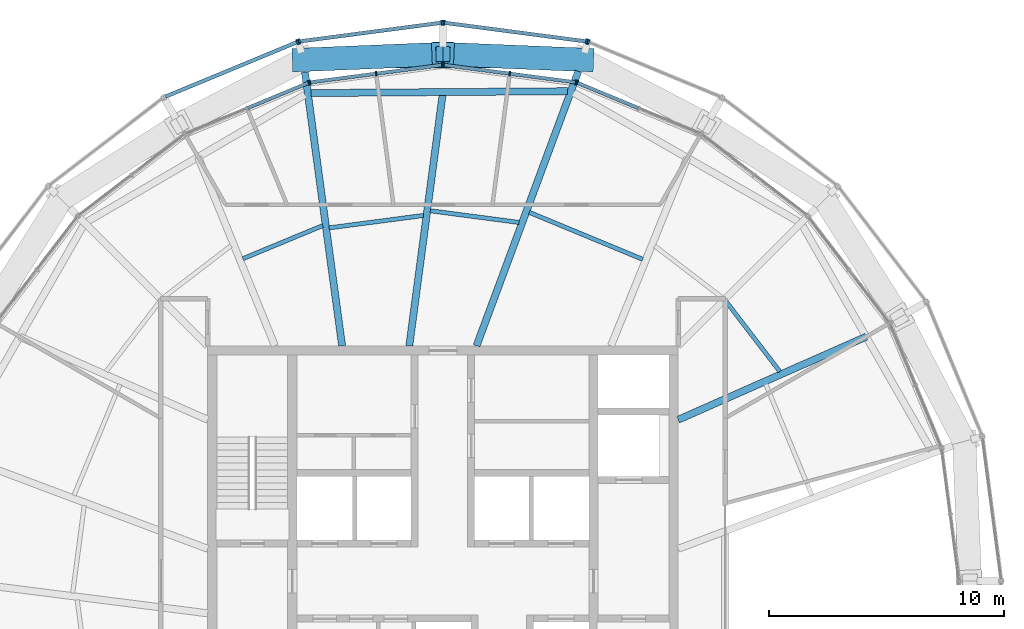
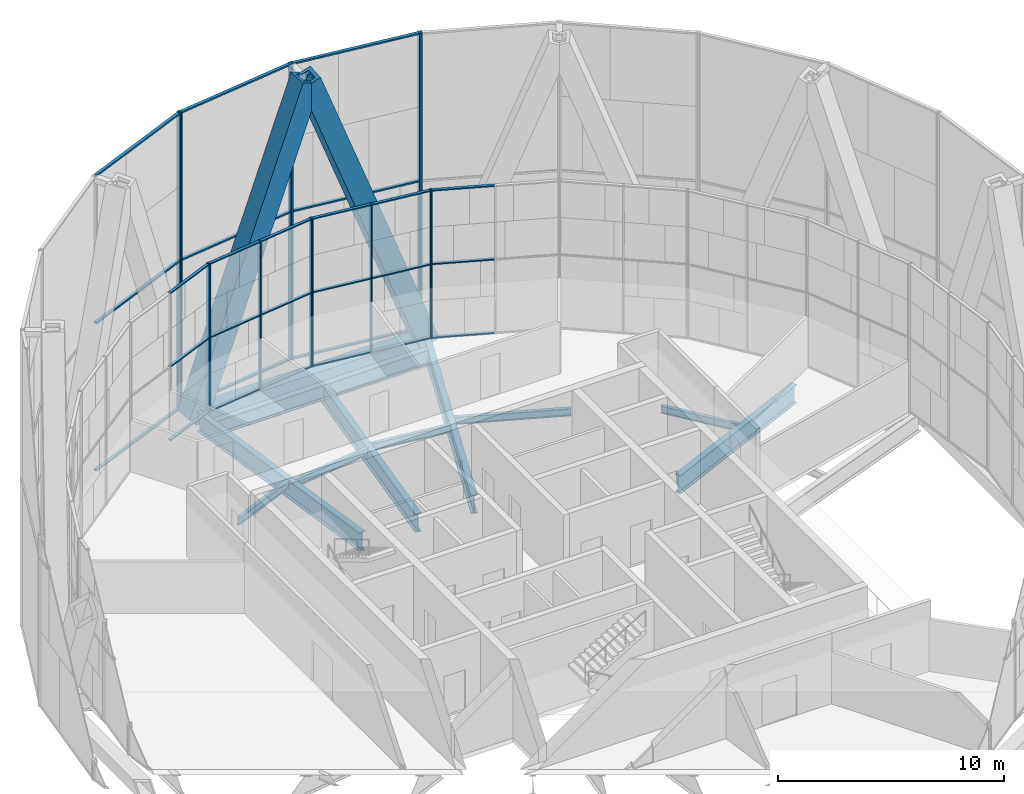
# One storey, part 7 of 22: 43 members, 11 beams, 8 elements without a shape of their own.
"""IFC4 building model written with IfcOpenShell, lengths in metres."""

from ifc_helpers import new_model, si_unit, direction, frame, origin, origin_2d, place, context, subcontext, project, spatial, rectangle, hollow_rectangle, i_section, extrude, material, material_profile, profile_set, type_object, element, aggregate, save


model = new_model("IFC4")

# Units and contexts
model_context = context("Model", 3, precision=1e-05, world=origin(), true_north=direction((0.0, 1.0)))
body_context = subcontext(model_context, "Body", "Model", "MODEL_VIEW")
ifc_project = project(units=[si_unit("LENGTHUNIT", "METRE"), si_unit("AREAUNIT", "SQUARE_METRE"), si_unit("VOLUMEUNIT", "CUBIC_METRE"), si_unit("PLANEANGLEUNIT", "RADIAN"), si_unit("MASSUNIT", "GRAM", prefix="KILO")], contexts=[model_context])

# Site, building, storey
site_placement = place(None, origin())
site = spatial("IfcSite", under=ifc_project, at=site_placement, CompositionType="ELEMENT")
building_placement = place(site_placement, origin())
building = spatial("IfcBuilding", under=site, at=building_placement, Name="Golbaran Civic Tower", CompositionType="ELEMENT")
storey_placement = place(building_placement, frame((0.0, 0.0, 264.0)))
storey = spatial("IfcBuildingStorey", under=building, at=storey_placement, Name="L64", CompositionType="ELEMENT", Elevation=264.0)

# Members
ifc_material_1 = material(Name="Steel S355", Category="steel")
ifc_material_profile_1 = material_profile(ifc_material_1, hollow_rectangle(XDim=1.0, YDim=1.0, WallThickness=0.179931640625, at=origin_2d()), Name="BOX 1000x1000x180")
ifc_profile_set_1 = profile_set([ifc_material_profile_1], Name="Steel S355")
member_type_1 = type_object("IfcMemberType", Name="DIAGRID DIAGONAL BOX 1000x1000x180", PredefinedType="BRACE", material=ifc_profile_set_1)
for number, where, z_axis, x_axis, name in (
    (1, (5.936767578125, 22.156494140625, -0.7099609375), (-0.34783756503, 0.014261383079, 0.937446340495), (-0.040965705945, -0.999160553133, 0.0), "Diagonal D15-02R L64-L68"),
    (2, (-5.936767578125, 22.156494140625, -0.7099609375), (0.34783756503, 0.014261383079, 0.937446340495), (-0.040965705945, 0.999160553133, 0.0), "Diagonal D15-03L L64-L68"),
):
    element("IfcMember", number, at=place(storey_placement, frame(where, z_axis=z_axis, x_axis=x_axis)), inside=storey, type_object=member_type_1, Name=name, PredefinedType="BRACE", context=body_context, shape_type="SweptSolid", body=[
        extrude(hollow_rectangle(XDim=1.0, YDim=1.0, WallThickness=0.179931640625, at=origin_2d()), origin(), (0.0, 0.0, 1.0), 17.067626953125),
    ])

# Beams
ifc_material_profile_2 = material_profile(ifc_material_1, hollow_rectangle(XDim=0.699951171875, YDim=0.699951171875, WallThickness=0.080078125, at=origin_2d()), Name="BOX 700x700x80")
ifc_profile_set_2 = profile_set([ifc_material_profile_2], Name="Steel S355")
beam_type_1 = type_object("IfcBeamType", Name="DIAGRID RING TIE BOX 700x700x80", PredefinedType="BEAM", material=ifc_profile_set_2)
beam_1_placement = place(storey_placement, frame((5.936767578125, 22.156494140625, -0.7099609375), z_axis=(-1.0, 0.0, 0.0), x_axis=(0.0, -1.0, 0.0)))
element("IfcBeam", 3, at=beam_1_placement, inside=storey, type_object=beam_type_1, Name="Ring tie 75.00 L64", PredefinedType="BEAM", context=body_context, shape_type="SweptSolid", body=[
    extrude(hollow_rectangle(XDim=0.699951171875, YDim=0.699951171875, WallThickness=0.080078125, at=origin_2d()), origin(), (0.0, 0.0, 1.0), 11.87353515625),
])
ifc_material_profile_3 = material_profile(ifc_material_1, i_section(OverallWidth=0.300048828125, OverallDepth=0.800048828125, WebThickness=0.017578125, FlangeThickness=0.032958984375, FilletRadius=0.030029296875, at=origin_2d()), Name="HEB 800")
ifc_profile_set_3 = profile_set([ifc_material_profile_3], Name="Steel S355")
beam_type_2 = type_object("IfcBeamType", Name="EDGE BEAM HEB 800", PredefinedType="BEAM", material=ifc_profile_set_3)
beam_2_placement = place(storey_placement, frame((5.302978515625, 20.82080078125, -0.60009765625), z_axis=(-0.999973586103, -0.007268225063, 0.0), x_axis=(0.007268225063, -0.999973586103, 0.0)))
element("IfcBeam", 4, at=beam_2_placement, inside=storey, type_object=beam_type_2, Name="Edge beam 75.00 L64", PredefinedType="BEAM", context=body_context, shape_type="SweptSolid", body=[
    extrude(i_section(OverallWidth=0.300048828125, OverallDepth=0.800048828125, WebThickness=0.017578125, FlangeThickness=0.032958984375, FilletRadius=0.030029296875, at=origin_2d()), origin(), (0.0, 0.0, 1.0), 10.916748046875),
])
ifc_material_profile_4 = material_profile(ifc_material_1, i_section(OverallWidth=0.179931640625, OverallDepth=0.39990234375, WebThickness=0.008544921875, FlangeThickness=0.013427734375, FilletRadius=0.02099609375, at=origin_2d()), Name="IPE 400")
ifc_profile_set_4 = profile_set([ifc_material_profile_4], Name="Steel S355")
beam_type_3 = type_object("IfcBeamType", Name="FLOOR INFILL BEAM IPE 400", PredefinedType="BEAM", material=ifc_profile_set_4)
beam_3_placement = place(storey_placement, frame((14.318359375, 8.906494140625, -0.39990234375), z_axis=(-0.608732534768, 0.793375510786, 0.0), x_axis=(-0.793375510786, -0.608732534768, 0.0)))
element("IfcBeam", 5, at=beam_3_placement, inside=storey, type_object=beam_type_3, Name="Infill beam 37.50 L64", PredefinedType="BEAM", context=body_context, shape_type="SweptSolid", body=[
    extrude(i_section(OverallWidth=0.179931640625, OverallDepth=0.39990234375, WebThickness=0.008544921875, FlangeThickness=0.013427734375, FilletRadius=0.02099609375, at=origin_2d()), origin(), (0.0, 0.0, 1.0), 3.728759765625),
])
beam_4_placement = place(storey_placement, frame((8.49365234375, 13.673095703125, -0.39990234375), z_axis=(-0.92386635704, 0.382715239219, 0.0), x_axis=(-0.382715239219, -0.92386635704, 0.0)))
element("IfcBeam", 6, at=beam_4_placement, inside=storey, type_object=beam_type_3, Name="Infill beam 67.50 L64", PredefinedType="BEAM", context=body_context, shape_type="SweptSolid", body=[
    extrude(i_section(OverallWidth=0.179931640625, OverallDepth=0.39990234375, WebThickness=0.008544921875, FlangeThickness=0.013427734375, FilletRadius=0.02099609375, at=origin_2d()), origin(), (0.0, 0.0, 1.0), 5.220703125),
])
beam_5_placement = place(storey_placement, frame((3.234130859375, 15.2421875, -0.39990234375), z_axis=(-0.991441838824, 0.130549148713, 0.0), x_axis=(-0.130549148713, -0.991441838824, 0.0)))
element("IfcBeam", 7, at=beam_5_placement, inside=storey, type_object=beam_type_3, Name="Infill beam 82.50 L64", PredefinedType="BEAM", context=body_context, shape_type="SweptSolid", body=[
    extrude(i_section(OverallWidth=0.179931640625, OverallDepth=0.39990234375, WebThickness=0.008544921875, FlangeThickness=0.013427734375, FilletRadius=0.02099609375, at=origin_2d()), origin(), (0.0, 0.0, 1.0), 3.8037109375),
])
beam_6_placement = place(storey_placement, frame((-0.825927734375, 15.5390625, -0.39990234375), z_axis=(-0.991444840399, -0.130526351537, 0.0), x_axis=(0.130526351537, -0.991444840399, 0.0)))
element("IfcBeam", 8, at=beam_6_placement, inside=storey, type_object=beam_type_3, Name="Infill beam 97.50 L64", PredefinedType="BEAM", context=body_context, shape_type="SweptSolid", body=[
    extrude(i_section(OverallWidth=0.179931640625, OverallDepth=0.39990234375, WebThickness=0.008544921875, FlangeThickness=0.013427734375, FilletRadius=0.02099609375, at=origin_2d()), origin(), (0.0, 0.0, 1.0), 4.0439453125),
])
beam_7_placement = place(storey_placement, frame((-5.110595703125, 15.107421875, -0.39990234375), z_axis=(-0.923878435958, -0.382686079668, 0.0), x_axis=(0.382686079668, -0.923878435958, 0.0)))
element("IfcBeam", 9, at=beam_7_placement, inside=storey, type_object=beam_type_3, Name="Infill beam 112.50 L64", PredefinedType="BEAM", context=body_context, shape_type="SweptSolid", body=[
    extrude(i_section(OverallWidth=0.179931640625, OverallDepth=0.39990234375, WebThickness=0.008544921875, FlangeThickness=0.013427734375, FilletRadius=0.02099609375, at=origin_2d()), origin(), (0.0, 0.0, 1.0), 3.676513671875),
])

# Curtain wall, member
ifc_material_2 = material(Name="Aluminium and glass", Category="aluminium")
curtain_wall_type_1 = type_object("IfcCurtainWallType", Name="INNER SKIN CURTAIN WALL EXECUTIVE", PredefinedType="NOTDEFINED", material=ifc_material_2)
curtain_wall_1_placement = place(storey_placement, origin())
curtain_wall_1 = element("IfcCurtainWall", 10, at=curtain_wall_1_placement, inside=storey, type_object=curtain_wall_type_1, Name="Inner skin L64 facet 5 CW2", ObjectType="INNER SKIN", PredefinedType="USERDEFINED")
ifc_material_3 = material(Name="Aluminium", Category="aluminium")
ifc_material_profile_5 = material_profile(ifc_material_3, rectangle(XDim=0.199951171875, YDim=0.06005859375, at=origin_2d()), Name="INNER SKIN CURTAIN WALL EXECUTIVE MULLION")
ifc_profile_set_5 = profile_set([ifc_material_profile_5], Name="Aluminium")
member_type_2 = type_object("IfcMemberType", Name="INNER SKIN CURTAIN WALL EXECUTIVE MULLION", PredefinedType="MULLION", material=ifc_profile_set_5)
member_1_placement = place(storey_placement, frame((5.7060546875, 21.179931640625, 0.0), z_axis=(0.0, 0.0, 1.0), x_axis=(-0.382683432349, -0.923879532518, 0.0)))
member_1 = element("IfcMember", 11, at=member_1_placement, type_object=member_type_2, Name="CW2 mullion 3", PredefinedType="MULLION", context=body_context, shape_type="SweptSolid", body=[
    extrude(rectangle(XDim=0.199951171875, YDim=0.06005859375, at=origin_2d()), origin(), (0.0, 0.0, 1.0), 8.0),
])

# Curtain wall, members
curtain_wall_2_placement = place(storey_placement, origin())
curtain_wall_2 = element("IfcCurtainWall", 12, at=curtain_wall_2_placement, inside=storey, type_object=curtain_wall_type_1, Name="Inner skin L64 facet 6 CW2", ObjectType="INNER SKIN", PredefinedType="USERDEFINED")
member_2_placement = place(storey_placement, frame((5.6484375, 21.1953125, 0.0), z_axis=(0.0, 0.0, 1.0), x_axis=(-0.130526192203, -0.991444861376, 0.0)))
member_2 = element("IfcMember", 13, at=member_2_placement, type_object=member_type_2, Name="CW2 mullion 1", PredefinedType="MULLION", context=body_context, shape_type="SweptSolid", body=[
    extrude(rectangle(XDim=0.199951171875, YDim=0.06005859375, at=origin_2d()), origin(), (0.0, 0.0, 1.0), 8.0),
])
member_3_placement = place(storey_placement, frame((2.839111328125, 21.565185546875, 0.0), z_axis=(0.0, 0.0, 1.0), x_axis=(-0.130526192203, -0.991444861376, 0.0)))
member_3 = element("IfcMember", 14, at=member_3_placement, type_object=member_type_2, Name="CW2 mullion 2", PredefinedType="MULLION", context=body_context, shape_type="SweptSolid", body=[
    extrude(rectangle(XDim=0.199951171875, YDim=0.06005859375, at=origin_2d()), origin(), (0.0, 0.0, 1.0), 8.0),
])
member_4_placement = place(storey_placement, frame((0.02978515625, 21.93505859375, 0.0), z_axis=(0.0, 0.0, 1.0), x_axis=(-0.130526192203, -0.991444861376, 0.0)))
member_4 = element("IfcMember", 15, at=member_4_placement, type_object=member_type_2, Name="CW2 mullion 3", PredefinedType="MULLION", context=body_context, shape_type="SweptSolid", body=[
    extrude(rectangle(XDim=0.199951171875, YDim=0.06005859375, at=origin_2d()), origin(), (0.0, 0.0, 1.0), 8.0),
])

curtain_wall_3_placement = place(storey_placement, origin())
curtain_wall_3 = element("IfcCurtainWall", 16, at=curtain_wall_3_placement, inside=storey, type_object=curtain_wall_type_1, Name="Inner skin L64 facet 7 CW2", ObjectType="INNER SKIN", PredefinedType="USERDEFINED")
member_5_placement = place(storey_placement, frame((-0.02978515625, 21.93505859375, 0.0), z_axis=(0.0, 0.0, 1.0), x_axis=(0.130526192203, -0.991444861376, 0.0)))
member_5 = element("IfcMember", 17, at=member_5_placement, type_object=member_type_2, Name="CW2 mullion 1", PredefinedType="MULLION", context=body_context, shape_type="SweptSolid", body=[
    extrude(rectangle(XDim=0.199951171875, YDim=0.06005859375, at=origin_2d()), origin(), (0.0, 0.0, 1.0), 8.0),
])
member_6_placement = place(storey_placement, frame((-2.839111328125, 21.565185546875, 0.0), z_axis=(0.0, 0.0, 1.0), x_axis=(0.130526192203, -0.991444861376, 0.0)))
member_6 = element("IfcMember", 18, at=member_6_placement, type_object=member_type_2, Name="CW2 mullion 2", PredefinedType="MULLION", context=body_context, shape_type="SweptSolid", body=[
    extrude(rectangle(XDim=0.199951171875, YDim=0.06005859375, at=origin_2d()), origin(), (0.0, 0.0, 1.0), 8.0),
])
member_7_placement = place(storey_placement, frame((-5.6484375, 21.1953125, 0.0), z_axis=(0.0, 0.0, 1.0), x_axis=(0.130526192203, -0.991444861376, 0.0)))
member_7 = element("IfcMember", 19, at=member_7_placement, type_object=member_type_2, Name="CW2 mullion 3", PredefinedType="MULLION", context=body_context, shape_type="SweptSolid", body=[
    extrude(rectangle(XDim=0.199951171875, YDim=0.06005859375, at=origin_2d()), origin(), (0.0, 0.0, 1.0), 8.0),
])

# Curtain wall, member
curtain_wall_4_placement = place(storey_placement, origin())
curtain_wall_4 = element("IfcCurtainWall", 20, at=curtain_wall_4_placement, inside=storey, type_object=curtain_wall_type_1, Name="Inner skin L64 facet 8 CW2", ObjectType="INNER SKIN", PredefinedType="USERDEFINED")
member_8_placement = place(storey_placement, frame((-5.7060546875, 21.179931640625, 0.0), z_axis=(0.0, 0.0, 1.0), x_axis=(0.382683432349, -0.923879532518, 0.0)))
member_8 = element("IfcMember", 21, at=member_8_placement, type_object=member_type_2, Name="CW2 mullion 1", PredefinedType="MULLION", context=body_context, shape_type="SweptSolid", body=[
    extrude(rectangle(XDim=0.199951171875, YDim=0.06005859375, at=origin_2d()), origin(), (0.0, 0.0, 1.0), 8.0),
])

# Member
ifc_material_profile_6 = material_profile(ifc_material_3, rectangle(XDim=0.14990234375, YDim=0.06005859375, at=origin_2d()), Name="INNER SKIN CURTAIN WALL EXECUTIVE TRANSOM")
ifc_profile_set_6 = profile_set([ifc_material_profile_6], Name="Aluminium")
member_type_3 = type_object("IfcMemberType", Name="INNER SKIN CURTAIN WALL EXECUTIVE TRANSOM", PredefinedType="USERDEFINED", material=ifc_profile_set_6)
member_9_placement = place(storey_placement, frame((8.296142578125, 20.107177734375, 0.030029296875), z_axis=(-0.923897754451, 0.382639437748, 0.0), x_axis=(-0.382639437748, -0.923897754451, 0.0)))
member_9 = element("IfcMember", 22, at=member_9_placement, type_object=member_type_3, Name="CW2 transom 2.1", ObjectType="TRANSOM", PredefinedType="USERDEFINED", context=body_context, shape_type="SweptSolid", body=[
    extrude(rectangle(XDim=0.14990234375, YDim=0.06005859375, at=origin_2d()), origin(), (0.0, 0.0, 1.0), 2.773681640625),
])

member_10_placement = place(storey_placement, frame((8.296142578125, 20.107177734375, 4.0), z_axis=(-0.923897754451, 0.382639437748, 0.0), x_axis=(-0.382639437748, -0.923897754451, 0.0)))
member_10 = element("IfcMember", 23, at=member_10_placement, type_object=member_type_3, Name="CW2 transom 2.2", ObjectType="TRANSOM", PredefinedType="USERDEFINED", context=body_context, shape_type="SweptSolid", body=[
    extrude(rectangle(XDim=0.14990234375, YDim=0.06005859375, at=origin_2d()), origin(), (0.0, 0.0, 1.0), 2.773681640625),
])

member_11_placement = place(storey_placement, frame((8.296142578125, 20.107177734375, 7.969970703125), z_axis=(-0.923897754451, 0.382639437748, 0.0), x_axis=(-0.382639437748, -0.923897754451, 0.0)))
member_11 = element("IfcMember", 24, at=member_11_placement, type_object=member_type_3, Name="CW2 transom 2.3", ObjectType="TRANSOM", PredefinedType="USERDEFINED", context=body_context, shape_type="SweptSolid", body=[
    extrude(rectangle(XDim=0.14990234375, YDim=0.06005859375, at=origin_2d()), origin(), (0.0, 0.0, 1.0), 2.773681640625),
])

aggregate(curtain_wall_1, [member_1, member_9, member_10, member_11])

member_12_placement = place(storey_placement, frame((5.61865234375, 21.19921875, 0.030029296875), z_axis=(-0.99144260663, 0.130543317556, 0.0), x_axis=(-0.130543317556, -0.99144260663, 0.0)))
member_12 = element("IfcMember", 25, at=member_12_placement, type_object=member_type_3, Name="CW2 transom 1.1", ObjectType="TRANSOM", PredefinedType="USERDEFINED", context=body_context, shape_type="SweptSolid", body=[
    extrude(rectangle(XDim=0.14990234375, YDim=0.06005859375, at=origin_2d()), origin(), (0.0, 0.0, 1.0), 2.7734375),
])

member_13_placement = place(storey_placement, frame((5.61865234375, 21.19921875, 4.0), z_axis=(-0.99144260663, 0.130543317556, 0.0), x_axis=(-0.130543317556, -0.99144260663, 0.0)))
member_13 = element("IfcMember", 26, at=member_13_placement, type_object=member_type_3, Name="CW2 transom 1.2", ObjectType="TRANSOM", PredefinedType="USERDEFINED", context=body_context, shape_type="SweptSolid", body=[
    extrude(rectangle(XDim=0.14990234375, YDim=0.06005859375, at=origin_2d()), origin(), (0.0, 0.0, 1.0), 2.7734375),
])

member_14_placement = place(storey_placement, frame((5.61865234375, 21.19921875, 7.969970703125), z_axis=(-0.99144260663, 0.130543317556, 0.0), x_axis=(-0.130543317556, -0.99144260663, 0.0)))
member_14 = element("IfcMember", 27, at=member_14_placement, type_object=member_type_3, Name="CW2 transom 1.3", ObjectType="TRANSOM", PredefinedType="USERDEFINED", context=body_context, shape_type="SweptSolid", body=[
    extrude(rectangle(XDim=0.14990234375, YDim=0.06005859375, at=origin_2d()), origin(), (0.0, 0.0, 1.0), 2.7734375),
])

member_15_placement = place(storey_placement, frame((2.809326171875, 21.569091796875, 0.030029296875), z_axis=(-0.99144260663, 0.130543317556, 0.0), x_axis=(-0.130543317556, -0.99144260663, 0.0)))
member_15 = element("IfcMember", 28, at=member_15_placement, type_object=member_type_3, Name="CW2 transom 2.1", ObjectType="TRANSOM", PredefinedType="USERDEFINED", context=body_context, shape_type="SweptSolid", body=[
    extrude(rectangle(XDim=0.14990234375, YDim=0.06005859375, at=origin_2d()), origin(), (0.0, 0.0, 1.0), 2.7734375),
])

member_16_placement = place(storey_placement, frame((2.809326171875, 21.569091796875, 4.0), z_axis=(-0.99144260663, 0.130543317556, 0.0), x_axis=(-0.130543317556, -0.99144260663, 0.0)))
member_16 = element("IfcMember", 29, at=member_16_placement, type_object=member_type_3, Name="CW2 transom 2.2", ObjectType="TRANSOM", PredefinedType="USERDEFINED", context=body_context, shape_type="SweptSolid", body=[
    extrude(rectangle(XDim=0.14990234375, YDim=0.06005859375, at=origin_2d()), origin(), (0.0, 0.0, 1.0), 2.7734375),
])

member_17_placement = place(storey_placement, frame((2.809326171875, 21.569091796875, 7.969970703125), z_axis=(-0.99144260663, 0.130543317556, 0.0), x_axis=(-0.130543317556, -0.99144260663, 0.0)))
member_17 = element("IfcMember", 30, at=member_17_placement, type_object=member_type_3, Name="CW2 transom 2.3", ObjectType="TRANSOM", PredefinedType="USERDEFINED", context=body_context, shape_type="SweptSolid", body=[
    extrude(rectangle(XDim=0.14990234375, YDim=0.06005859375, at=origin_2d()), origin(), (0.0, 0.0, 1.0), 2.7734375),
])

aggregate(curtain_wall_2, [member_2, member_3, member_4, member_12, member_13, member_14, member_15, member_16, member_17])

member_18_placement = place(storey_placement, frame((-0.0595703125, 21.93115234375, 0.030029296875), z_axis=(-0.99144260663, -0.130543317556, 0.0), x_axis=(0.130543317556, -0.99144260663, 0.0)))
member_18 = element("IfcMember", 31, at=member_18_placement, type_object=member_type_3, Name="CW2 transom 1.1", ObjectType="TRANSOM", PredefinedType="USERDEFINED", context=body_context, shape_type="SweptSolid", body=[
    extrude(rectangle(XDim=0.14990234375, YDim=0.06005859375, at=origin_2d()), origin(), (0.0, 0.0, 1.0), 2.7734375),
])

member_19_placement = place(storey_placement, frame((-0.0595703125, 21.93115234375, 4.0), z_axis=(-0.99144260663, -0.130543317556, 0.0), x_axis=(0.130543317556, -0.99144260663, 0.0)))
member_19 = element("IfcMember", 32, at=member_19_placement, type_object=member_type_3, Name="CW2 transom 1.2", ObjectType="TRANSOM", PredefinedType="USERDEFINED", context=body_context, shape_type="SweptSolid", body=[
    extrude(rectangle(XDim=0.14990234375, YDim=0.06005859375, at=origin_2d()), origin(), (0.0, 0.0, 1.0), 2.7734375),
])

member_20_placement = place(storey_placement, frame((-0.0595703125, 21.93115234375, 7.969970703125), z_axis=(-0.99144260663, -0.130543317556, 0.0), x_axis=(0.130543317556, -0.99144260663, 0.0)))
member_20 = element("IfcMember", 33, at=member_20_placement, type_object=member_type_3, Name="CW2 transom 1.3", ObjectType="TRANSOM", PredefinedType="USERDEFINED", context=body_context, shape_type="SweptSolid", body=[
    extrude(rectangle(XDim=0.14990234375, YDim=0.06005859375, at=origin_2d()), origin(), (0.0, 0.0, 1.0), 2.7734375),
])

member_21_placement = place(storey_placement, frame((-2.868896484375, 21.561279296875, 0.030029296875), z_axis=(-0.99144260663, -0.130543317556, 0.0), x_axis=(0.130543317556, -0.99144260663, 0.0)))
member_21 = element("IfcMember", 34, at=member_21_placement, type_object=member_type_3, Name="CW2 transom 2.1", ObjectType="TRANSOM", PredefinedType="USERDEFINED", context=body_context, shape_type="SweptSolid", body=[
    extrude(rectangle(XDim=0.14990234375, YDim=0.06005859375, at=origin_2d()), origin(), (0.0, 0.0, 1.0), 2.7734375),
])

member_22_placement = place(storey_placement, frame((-2.868896484375, 21.561279296875, 4.0), z_axis=(-0.99144260663, -0.130543317556, 0.0), x_axis=(0.130543317556, -0.99144260663, 0.0)))
member_22 = element("IfcMember", 35, at=member_22_placement, type_object=member_type_3, Name="CW2 transom 2.2", ObjectType="TRANSOM", PredefinedType="USERDEFINED", context=body_context, shape_type="SweptSolid", body=[
    extrude(rectangle(XDim=0.14990234375, YDim=0.06005859375, at=origin_2d()), origin(), (0.0, 0.0, 1.0), 2.7734375),
])

member_23_placement = place(storey_placement, frame((-2.868896484375, 21.561279296875, 7.969970703125), z_axis=(-0.99144260663, -0.130543317556, 0.0), x_axis=(0.130543317556, -0.99144260663, 0.0)))
member_23 = element("IfcMember", 36, at=member_23_placement, type_object=member_type_3, Name="CW2 transom 2.3", ObjectType="TRANSOM", PredefinedType="USERDEFINED", context=body_context, shape_type="SweptSolid", body=[
    extrude(rectangle(XDim=0.14990234375, YDim=0.06005859375, at=origin_2d()), origin(), (0.0, 0.0, 1.0), 2.7734375),
])

aggregate(curtain_wall_3, [member_5, member_6, member_7, member_18, member_19, member_20, member_21, member_22, member_23])

member_24_placement = place(storey_placement, frame((-5.733642578125, 21.16845703125, 0.030029296875), z_axis=(-0.923897754451, -0.382639437748, 0.0), x_axis=(0.382639437748, -0.923897754451, 0.0)))
member_24 = element("IfcMember", 37, at=member_24_placement, type_object=member_type_3, Name="CW2 transom 1.1", ObjectType="TRANSOM", PredefinedType="USERDEFINED", context=body_context, shape_type="SweptSolid", body=[
    extrude(rectangle(XDim=0.14990234375, YDim=0.06005859375, at=origin_2d()), origin(), (0.0, 0.0, 1.0), 2.773681640625),
])

member_25_placement = place(storey_placement, frame((-5.733642578125, 21.16845703125, 4.0), z_axis=(-0.923897754451, -0.382639437748, 0.0), x_axis=(0.382639437748, -0.923897754451, 0.0)))
member_25 = element("IfcMember", 38, at=member_25_placement, type_object=member_type_3, Name="CW2 transom 1.2", ObjectType="TRANSOM", PredefinedType="USERDEFINED", context=body_context, shape_type="SweptSolid", body=[
    extrude(rectangle(XDim=0.14990234375, YDim=0.06005859375, at=origin_2d()), origin(), (0.0, 0.0, 1.0), 2.773681640625),
])

member_26_placement = place(storey_placement, frame((-5.733642578125, 21.16845703125, 7.969970703125), z_axis=(-0.923897754451, -0.382639437748, 0.0), x_axis=(0.382639437748, -0.923897754451, 0.0)))
member_26 = element("IfcMember", 39, at=member_26_placement, type_object=member_type_3, Name="CW2 transom 1.3", ObjectType="TRANSOM", PredefinedType="USERDEFINED", context=body_context, shape_type="SweptSolid", body=[
    extrude(rectangle(XDim=0.14990234375, YDim=0.06005859375, at=origin_2d()), origin(), (0.0, 0.0, 1.0), 2.773681640625),
])

aggregate(curtain_wall_4, [member_8, member_24, member_25, member_26])

# Curtain wall, member
curtain_wall_type_2 = type_object("IfcCurtainWallType", Name="OUTER SKIN TERRACOTTA SCREEN", PredefinedType="NOTDEFINED", material=ifc_material_2)
curtain_wall_5_placement = place(storey_placement, origin())
curtain_wall_5 = element("IfcCurtainWall", 40, at=curtain_wall_5_placement, inside=storey, type_object=curtain_wall_type_2, Name="Outer skin L64 facet 5 CW3", ObjectType="OUTER SKIN", PredefinedType="USERDEFINED")
ifc_material_profile_7 = material_profile(ifc_material_3, rectangle(XDim=0.219970703125, YDim=0.080078125, at=origin_2d()), Name="OUTER SKIN TERRACOTTA SCREEN MULLION")
ifc_profile_set_7 = profile_set([ifc_material_profile_7], Name="Aluminium")
member_type_4 = type_object("IfcMemberType", Name="OUTER SKIN TERRACOTTA SCREEN MULLION", PredefinedType="MULLION", material=ifc_profile_set_7)
member_27_placement = place(storey_placement, frame((6.180908203125, 22.913818359375, -0.7099609375), z_axis=(0.0, 0.0, 1.0), x_axis=(-0.382683432333, -0.923879532525, 0.0)))
member_27 = element("IfcMember", 41, at=member_27_placement, type_object=member_type_4, Name="CW3 mullion 2", PredefinedType="MULLION", context=body_context, shape_type="SweptSolid", body=[
    extrude(rectangle(XDim=0.219970703125, YDim=0.080078125, at=origin_2d()), origin(), (0.0, 0.0, 1.0), 16.0),
])
aggregate(curtain_wall_5, [member_27])

# Curtain wall, members
curtain_wall_6_placement = place(storey_placement, origin())
curtain_wall_6 = element("IfcCurtainWall", 42, at=curtain_wall_6_placement, inside=storey, type_object=curtain_wall_type_2, Name="Outer skin L64 facet 6 CW3", ObjectType="OUTER SKIN", PredefinedType="USERDEFINED")
member_28_placement = place(storey_placement, frame((6.104248046875, 22.934326171875, -0.7099609375), z_axis=(0.0, 0.0, 1.0), x_axis=(-0.130526192289, -0.991444861365, 0.0)))
member_28 = element("IfcMember", 43, at=member_28_placement, type_object=member_type_4, Name="CW3 mullion 1", PredefinedType="MULLION", context=body_context, shape_type="SweptSolid", body=[
    extrude(rectangle(XDim=0.219970703125, YDim=0.080078125, at=origin_2d()), origin(), (0.0, 0.0, 1.0), 16.0),
])
member_29_placement = place(storey_placement, frame((0.03955078125, 23.732666015625, -0.7099609375), z_axis=(0.0, 0.0, 1.0), x_axis=(-0.130526192289, -0.991444861365, 0.0)))
member_29 = element("IfcMember", 44, at=member_29_placement, type_object=member_type_4, Name="CW3 mullion 2", PredefinedType="MULLION", context=body_context, shape_type="SweptSolid", body=[
    extrude(rectangle(XDim=0.219970703125, YDim=0.080078125, at=origin_2d()), origin(), (0.0, 0.0, 1.0), 16.0),
])

curtain_wall_7_placement = place(storey_placement, origin())
curtain_wall_7 = element("IfcCurtainWall", 45, at=curtain_wall_7_placement, inside=storey, type_object=curtain_wall_type_2, Name="Outer skin L64 facet 7 CW3", ObjectType="OUTER SKIN", PredefinedType="USERDEFINED")
member_30_placement = place(storey_placement, frame((-0.03955078125, 23.732666015625, -0.7099609375), z_axis=(0.0, 0.0, 1.0), x_axis=(0.130526192289, -0.991444861365, 0.0)))
member_30 = element("IfcMember", 46, at=member_30_placement, type_object=member_type_4, Name="CW3 mullion 1", PredefinedType="MULLION", context=body_context, shape_type="SweptSolid", body=[
    extrude(rectangle(XDim=0.219970703125, YDim=0.080078125, at=origin_2d()), origin(), (0.0, 0.0, 1.0), 16.0),
])
member_31_placement = place(storey_placement, frame((-6.104248046875, 22.934326171875, -0.7099609375), z_axis=(0.0, 0.0, 1.0), x_axis=(0.130526192289, -0.991444861365, 0.0)))
member_31 = element("IfcMember", 47, at=member_31_placement, type_object=member_type_4, Name="CW3 mullion 2", PredefinedType="MULLION", context=body_context, shape_type="SweptSolid", body=[
    extrude(rectangle(XDim=0.219970703125, YDim=0.080078125, at=origin_2d()), origin(), (0.0, 0.0, 1.0), 16.0),
])

# Curtain wall, member
curtain_wall_8_placement = place(storey_placement, origin())
curtain_wall_8 = element("IfcCurtainWall", 48, at=curtain_wall_8_placement, inside=storey, type_object=curtain_wall_type_2, Name="Outer skin L64 facet 8 CW3", ObjectType="OUTER SKIN", PredefinedType="USERDEFINED")
member_32_placement = place(storey_placement, frame((-6.180908203125, 22.913818359375, -0.7099609375), z_axis=(0.0, 0.0, 1.0), x_axis=(0.382683432333, -0.923879532525, 0.0)))
member_32 = element("IfcMember", 49, at=member_32_placement, type_object=member_type_4, Name="CW3 mullion 1", PredefinedType="MULLION", context=body_context, shape_type="SweptSolid", body=[
    extrude(rectangle(XDim=0.219970703125, YDim=0.080078125, at=origin_2d()), origin(), (0.0, 0.0, 1.0), 16.0),
])

# Member
ifc_material_profile_8 = material_profile(ifc_material_3, rectangle(XDim=0.159912109375, YDim=0.080078125, at=origin_2d()), Name="OUTER SKIN TERRACOTTA SCREEN TRANSOM")
ifc_profile_set_8 = profile_set([ifc_material_profile_8], Name="Aluminium")
member_type_5 = type_object("IfcMemberType", Name="OUTER SKIN TERRACOTTA SCREEN TRANSOM", PredefinedType="USERDEFINED", material=ifc_profile_set_8)
member_33_placement = place(storey_placement, frame((6.064453125, 22.939697265625, -0.669921875), z_axis=(-0.9914472738, 0.130507866716, 0.0), x_axis=(-0.130507866716, -0.9914472738, 0.0)))
member_33 = element("IfcMember", 50, at=member_33_placement, type_object=member_type_5, Name="CW3 transom 1.1", ObjectType="TRANSOM", PredefinedType="USERDEFINED", context=body_context, shape_type="SweptSolid", body=[
    extrude(rectangle(XDim=0.159912109375, YDim=0.080078125, at=origin_2d()), origin(), (0.0, 0.0, 1.0), 6.03662109375),
])

member_34_placement = place(storey_placement, frame((6.064453125, 22.939697265625, 7.2900390625), z_axis=(-0.9914472738, 0.130507866716, 0.0), x_axis=(-0.130507866716, -0.9914472738, 0.0)))
member_34 = element("IfcMember", 51, at=member_34_placement, type_object=member_type_5, Name="CW3 transom 1.2", ObjectType="TRANSOM", PredefinedType="USERDEFINED", context=body_context, shape_type="SweptSolid", body=[
    extrude(rectangle(XDim=0.159912109375, YDim=0.080078125, at=origin_2d()), origin(), (0.0, 0.0, 1.0), 6.03662109375),
])

member_35_placement = place(storey_placement, frame((6.064453125, 22.939697265625, 15.25), z_axis=(-0.9914472738, 0.130507866716, 0.0), x_axis=(-0.130507866716, -0.9914472738, 0.0)))
member_35 = element("IfcMember", 52, at=member_35_placement, type_object=member_type_5, Name="CW3 transom 1.3", ObjectType="TRANSOM", PredefinedType="USERDEFINED", context=body_context, shape_type="SweptSolid", body=[
    extrude(rectangle(XDim=0.159912109375, YDim=0.080078125, at=origin_2d()), origin(), (0.0, 0.0, 1.0), 6.03662109375),
])

aggregate(curtain_wall_6, [member_28, member_29, member_33, member_34, member_35])

member_36_placement = place(storey_placement, frame((-0.079345703125, 23.7275390625, -0.669921875), z_axis=(-0.9914472738, -0.130507866716, 0.0), x_axis=(0.130507866716, -0.9914472738, 0.0)))
member_36 = element("IfcMember", 53, at=member_36_placement, type_object=member_type_5, Name="CW3 transom 1.1", ObjectType="TRANSOM", PredefinedType="USERDEFINED", context=body_context, shape_type="SweptSolid", body=[
    extrude(rectangle(XDim=0.159912109375, YDim=0.080078125, at=origin_2d()), origin(), (0.0, 0.0, 1.0), 6.03662109375),
])

member_37_placement = place(storey_placement, frame((-0.079345703125, 23.7275390625, 7.2900390625), z_axis=(-0.9914472738, -0.130507866716, 0.0), x_axis=(0.130507866716, -0.9914472738, 0.0)))
member_37 = element("IfcMember", 54, at=member_37_placement, type_object=member_type_5, Name="CW3 transom 1.2", ObjectType="TRANSOM", PredefinedType="USERDEFINED", context=body_context, shape_type="SweptSolid", body=[
    extrude(rectangle(XDim=0.159912109375, YDim=0.080078125, at=origin_2d()), origin(), (0.0, 0.0, 1.0), 6.03662109375),
])

member_38_placement = place(storey_placement, frame((-0.079345703125, 23.7275390625, 15.25), z_axis=(-0.9914472738, -0.130507866716, 0.0), x_axis=(0.130507866716, -0.9914472738, 0.0)))
member_38 = element("IfcMember", 55, at=member_38_placement, type_object=member_type_5, Name="CW3 transom 1.3", ObjectType="TRANSOM", PredefinedType="USERDEFINED", context=body_context, shape_type="SweptSolid", body=[
    extrude(rectangle(XDim=0.159912109375, YDim=0.080078125, at=origin_2d()), origin(), (0.0, 0.0, 1.0), 6.03662109375),
])

aggregate(curtain_wall_7, [member_30, member_31, member_36, member_37, member_38])

member_39_placement = place(storey_placement, frame((-6.2177734375, 22.8984375, -0.669921875), z_axis=(-0.923889667275, -0.382658963964, 0.0), x_axis=(0.382658963964, -0.923889667275, 0.0)))
member_39 = element("IfcMember", 56, at=member_39_placement, type_object=member_type_5, Name="CW3 transom 1.1", ObjectType="TRANSOM", PredefinedType="USERDEFINED", context=body_context, shape_type="SweptSolid", body=[
    extrude(rectangle(XDim=0.159912109375, YDim=0.080078125, at=origin_2d()), origin(), (0.0, 0.0, 1.0), 6.036865234375),
])

member_40_placement = place(storey_placement, frame((-6.2177734375, 22.8984375, 7.2900390625), z_axis=(-0.923889667275, -0.382658963964, 0.0), x_axis=(0.382658963964, -0.923889667275, 0.0)))
member_40 = element("IfcMember", 57, at=member_40_placement, type_object=member_type_5, Name="CW3 transom 1.2", ObjectType="TRANSOM", PredefinedType="USERDEFINED", context=body_context, shape_type="SweptSolid", body=[
    extrude(rectangle(XDim=0.159912109375, YDim=0.080078125, at=origin_2d()), origin(), (0.0, 0.0, 1.0), 6.036865234375),
])

member_41_placement = place(storey_placement, frame((-6.2177734375, 22.8984375, 15.25), z_axis=(-0.923889667275, -0.382658963964, 0.0), x_axis=(0.382658963964, -0.923889667275, 0.0)))
member_41 = element("IfcMember", 58, at=member_41_placement, type_object=member_type_5, Name="CW3 transom 1.3", ObjectType="TRANSOM", PredefinedType="USERDEFINED", context=body_context, shape_type="SweptSolid", body=[
    extrude(rectangle(XDim=0.159912109375, YDim=0.080078125, at=origin_2d()), origin(), (0.0, 0.0, 1.0), 6.036865234375),
])

aggregate(curtain_wall_8, [member_32, member_39, member_40, member_41])

# Beams
ifc_material_profile_9 = material_profile(ifc_material_1, i_section(OverallWidth=0.300048828125, OverallDepth=1.0, WebThickness=0.01904296875, FlangeThickness=0.035888671875, FilletRadius=0.030029296875, at=origin_2d()), Name="HEB 1000")
ifc_profile_set_9 = profile_set([ifc_material_profile_9], Name="Steel S355")
beam_type_4 = type_object("IfcBeamType", Name="RADIAL FLOOR BEAM HEB 1000", PredefinedType="BEAM", material=ifc_profile_set_9)
beam_8_placement = place(storey_placement, frame((1.428466796875, 10.0, -0.7099609375), z_axis=(0.347709989207, 0.93760213492, 0.0), x_axis=(-0.93760213492, 0.347709989207, 0.0)))
element("IfcBeam", 59, at=beam_8_placement, inside=storey, type_object=beam_type_4, Name="Radial beam 75.00 L64", PredefinedType="BEAM", context=body_context, shape_type="SweptSolid", body=[
    extrude(i_section(OverallWidth=0.300048828125, OverallDepth=1.0, WebThickness=0.01904296875, FlangeThickness=0.035888671875, FilletRadius=0.030029296875, at=origin_2d()), origin(), (0.0, 0.0, 1.0), 12.439697265625),
])
beam_9_placement = place(storey_placement, frame((-4.28564453125, 10.0, -0.7099609375), z_axis=(-0.134591480562, 0.990901172348, 0.0), x_axis=(-0.990901172348, -0.134591480562, 0.0)))
element("IfcBeam", 60, at=beam_9_placement, inside=storey, type_object=beam_type_4, Name="Radial beam 105.00 L64", PredefinedType="BEAM", context=body_context, shape_type="SweptSolid", body=[
    extrude(i_section(OverallWidth=0.300048828125, OverallDepth=1.0, WebThickness=0.01904296875, FlangeThickness=0.035888671875, FilletRadius=0.030029296875, at=origin_2d()), origin(), (0.0, 0.0, 1.0), 11.736083984375),
])
ifc_material_profile_10 = material_profile(ifc_material_1, i_section(OverallWidth=0.300048828125, OverallDepth=1.0, WebThickness=0.01904296875, FlangeThickness=0.035888671875, FilletRadius=0.030029296875, at=origin_2d()), Name="HEB 1000")
ifc_profile_set_10 = profile_set([ifc_material_profile_10], Name="Steel S355")
beam_type_5 = type_object("IfcBeamType", Name="SECONDARY FLOOR BEAM HEB 1000", PredefinedType="BEAM", material=ifc_profile_set_10)
beam_10_placement = place(storey_placement, frame((10.0, 6.857177734375, -0.7099609375), z_axis=(0.914747650754, 0.404025661859, 0.0), x_axis=(-0.404025661859, 0.914747650754, 0.0)))
element("IfcBeam", 61, at=beam_10_placement, inside=storey, type_object=beam_type_5, Name="Secondary beam 30.00 L64", PredefinedType="BEAM", context=body_context, shape_type="SweptSolid", body=[
    extrude(i_section(OverallWidth=0.300048828125, OverallDepth=1.0, WebThickness=0.01904296875, FlangeThickness=0.035888671875, FilletRadius=0.030029296875, at=origin_2d()), origin(), (0.0, 0.0, 1.0), 8.731689453125),
])
beam_11_placement = place(storey_placement, frame((-1.428466796875, 10.0, -0.7099609375), z_axis=(0.13133588912, 0.991337926355, 0.0), x_axis=(-0.991337926355, 0.13133588912, 0.0)))
element("IfcBeam", 62, at=beam_11_placement, inside=storey, type_object=beam_type_5, Name="Secondary beam 90.00 L64", PredefinedType="BEAM", context=body_context, shape_type="SweptSolid", body=[
    extrude(i_section(OverallWidth=0.300048828125, OverallDepth=1.0, WebThickness=0.01904296875, FlangeThickness=0.035888671875, FilletRadius=0.030029296875, at=origin_2d()), origin(), (0.0, 0.0, 1.0), 10.87646484375),
])

save(model, "model.ifc")
